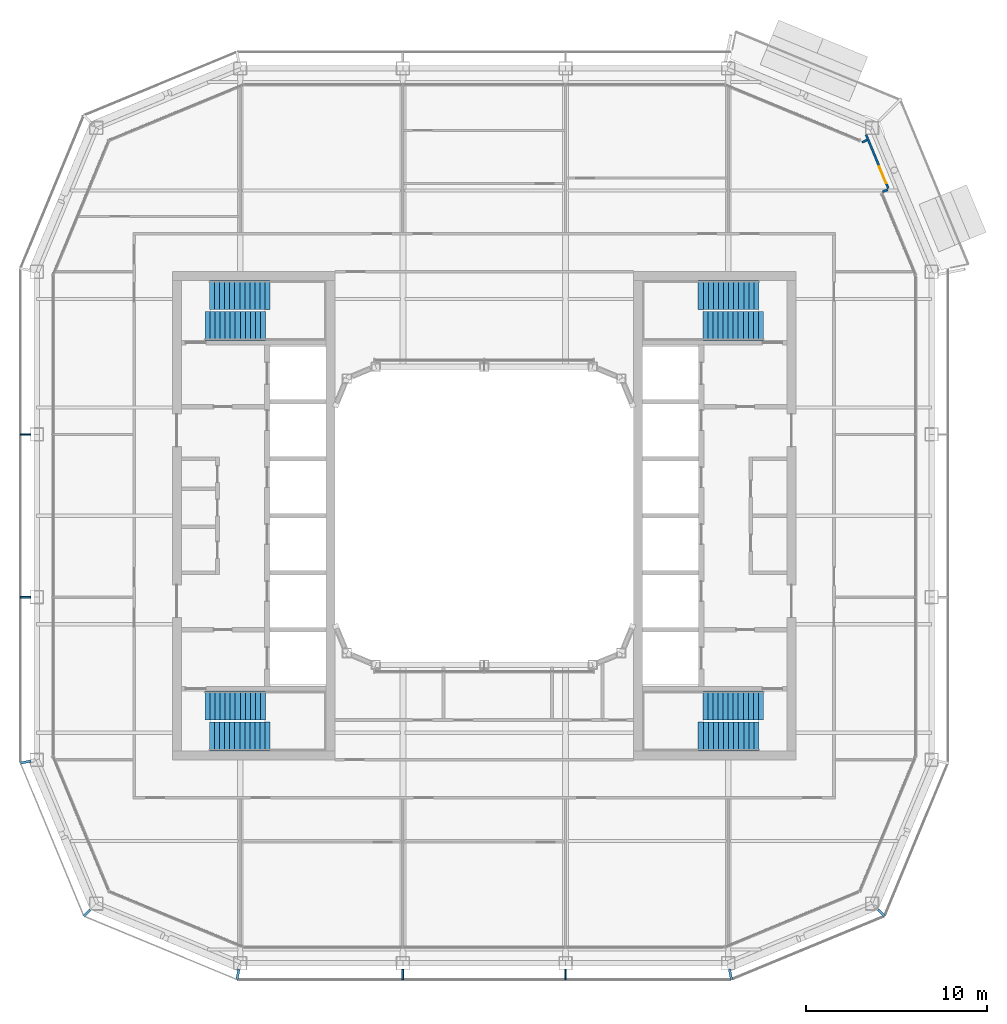
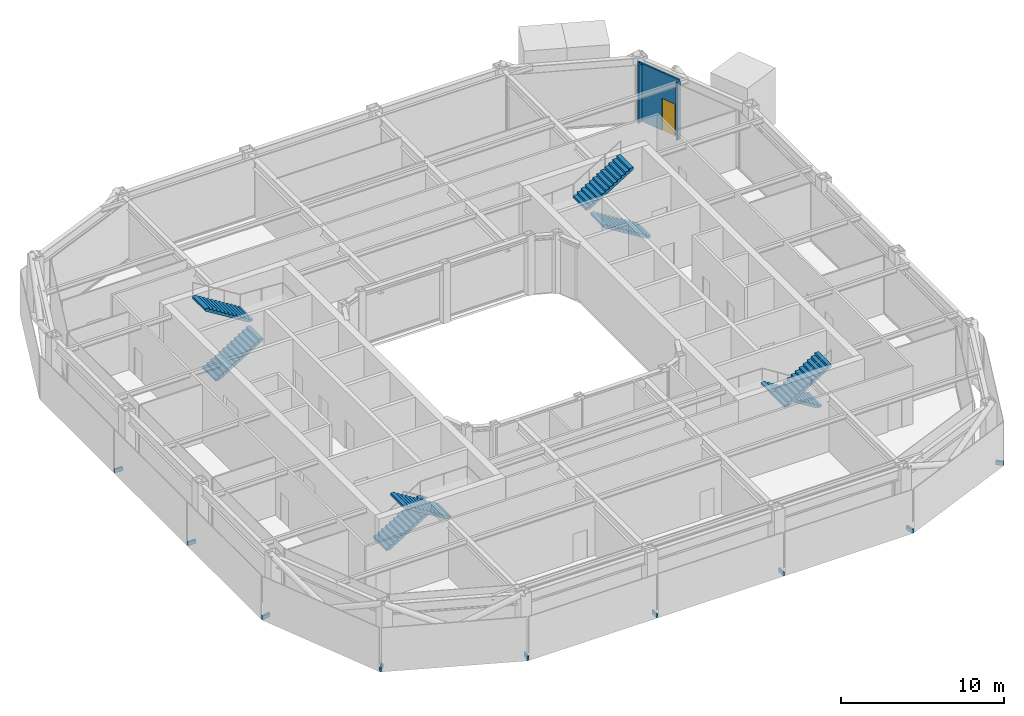
# One storey, part 13 of 20: 9 discrete accessories, 8 stair flights, 3 walls, 1 door, 1 opening, 4 elements without a shape of their own.
"""IFC4 building model written with IfcOpenShell, lengths in metres."""

import ifcopenshell
import ifcopenshell.guid

model = None  # the IFC model being written
_history = None  # IfcOwnerHistory: only IFC2X3 demands one
_inside = {}  # id of a spatial element -> (the spatial element, [elements in it])
_under = {}  # id of a project, library or spatial element -> (it, [spatial elements below it])
_declared = {}  # id of a project -> (the project, [libraries it declares])
_typed = {}  # id of a type object -> (the type object, [elements of that type])
_made_of = {}  # id of a material, layer set ... -> (it, [elements and type objects made of it])


def new_model(schema):
    """Start an empty IFC model of exactly this schema.

    Asked for "IFC4X3", IfcOpenShell would pick the latest addendum, in which some entities
    have other attributes; the version numbers below select the first issue.
    IFC2X3 requires an IfcOwnerHistory on every rooted entity: one is made here for all.
    """
    global model, _history
    if schema == "IFC4X3":
        model = ifcopenshell.file(schema_version=(4, 3, 0, 0))
    else:
        model = ifcopenshell.file(schema=schema)
    _inside.clear()
    _under.clear()
    _declared.clear()
    _typed.clear()
    _made_of.clear()
    _history = None
    if model.schema == "IFC2X3":
        org = make("IfcOrganization", Name="unknown")
        user = make(
            "IfcPersonAndOrganization",
            ThePerson=make("IfcPerson", FamilyName="unknown"),
            TheOrganization=org,
        )
        app = make(
            "IfcApplication",
            ApplicationDeveloper=org,
            Version="unknown",
            ApplicationFullName="unknown",
            ApplicationIdentifier="unknown",
        )
        _history = make(
            "IfcOwnerHistory",
            OwningUser=user,
            OwningApplication=app,
            ChangeAction="ADDED",
            CreationDate=0,
        )
    return model


def make(cls, **values):
    """One entity of the class cls with the attributes given. An attribute that is None is left unset."""
    return model.create_entity(
        cls, **{name: value for name, value in values.items() if value is not None}
    )


def rooted(cls, **values):
    """An entity with a GlobalId (a new one), such as an element, a storey or a relation."""
    return make(cls, GlobalId=ifcopenshell.guid.new(), OwnerHistory=_history, **values)


def si_unit(unit_type, name, prefix=None):
    """IfcSIUnit, for example si_unit("LENGTHUNIT", "METRE", prefix="MILLI")."""
    return make("IfcSIUnit", UnitType=unit_type, Prefix=prefix, Name=name)


def assignment(units):
    """IfcUnitAssignment: the units of a project."""
    return None if units is None else make("IfcUnitAssignment", Units=units)


def point(xyz):
    """IfcCartesianPoint."""
    return None if xyz is None else make("IfcCartesianPoint", Coordinates=xyz)


def direction(xyz):
    """IfcDirection."""
    return None if xyz is None else make("IfcDirection", DirectionRatios=xyz)


def frame(location, z_axis=None, x_axis=None):
    """IfcAxis2Placement3D, a coordinate frame: its origin and axes. An axis left out is left unset."""
    return make(
        "IfcAxis2Placement3D",
        Location=point(location),
        Axis=direction(z_axis),
        RefDirection=direction(x_axis),
    )


def frame_2d(location, x_axis=None):
    """IfcAxis2Placement2D, a coordinate frame in the plane: its origin and x axis."""
    return make(
        "IfcAxis2Placement2D", Location=point(location), RefDirection=direction(x_axis)
    )


def origin():
    """The frame at (0, 0, 0) with its axes left unset."""
    return frame((0.0, 0.0, 0.0))


def origin_2d():
    """The frame at (0, 0) in the plane with its x axis left unset."""
    return frame_2d((0.0, 0.0))


def place(relative_to, where):
    """IfcLocalPlacement: puts the frame where relative to a parent placement (None: the world)."""
    return make(
        "IfcLocalPlacement", PlacementRelTo=relative_to, RelativePlacement=where
    )


def context(
    kind, dimensions, precision=None, world=None, true_north=None, identifier=None
):
    """IfcGeometricRepresentationContext, for example the 3D "Model" context."""
    return make(
        "IfcGeometricRepresentationContext",
        ContextIdentifier=identifier,
        ContextType=kind,
        CoordinateSpaceDimension=dimensions,
        Precision=precision,
        WorldCoordinateSystem=world,
        TrueNorth=true_north,
    )


def subcontext(parent, identifier, kind, view, scale=None):
    """IfcGeometricRepresentationSubContext, for example "Body" below "Model"."""
    return make(
        "IfcGeometricRepresentationSubContext",
        ContextIdentifier=identifier,
        ContextType=kind,
        ParentContext=parent,
        TargetScale=scale,
        TargetView=view,
    )


def project(units=None, contexts=None):
    """IfcProject with its units and contexts."""
    return rooted(
        "IfcProject",
        Name="project",
        RepresentationContexts=contexts,
        UnitsInContext=assignment(units),
    )


def spatial(cls, under=None, at=None, **own):
    """A site, building, storey or space (cls), placed at a placement, below another one or the project."""
    s = rooted(cls, ObjectPlacement=at, **own)
    if under is not None:
        _under.setdefault(under.id(), (under, []))[1].append(s)
    return s


def polyline(points):
    """IfcPolyline through the points."""
    return make("IfcPolyline", Points=[point(p) for p in points])


def profile(cls, at=None, kind="AREA", **sizes):
    """A parametric profile (cls). Its sizes go by their IFC names, for example OverallWidth=200.0."""
    return make(cls, ProfileType=kind, Position=at, **sizes)


def rectangle(**sizes):
    """IfcRectangleProfileDef."""
    return profile("IfcRectangleProfileDef", **sizes)


def outline(outer, holes=None, kind="AREA"):
    """IfcArbitraryClosedProfileDef: a profile drawn as a closed curve; with holes, ...WithVoids."""
    if holes is None:
        return make("IfcArbitraryClosedProfileDef", ProfileType=kind, OuterCurve=outer)
    return make(
        "IfcArbitraryProfileDefWithVoids",
        ProfileType=kind,
        OuterCurve=outer,
        InnerCurves=holes,
    )


def extrude(swept, where, along, depth):
    """IfcExtrudedAreaSolid: the profile swept, set in the frame where, extruded along a direction by depth."""
    return make(
        "IfcExtrudedAreaSolid",
        SweptArea=swept,
        Position=where,
        ExtrudedDirection=direction(along),
        Depth=depth,
    )


def shape(context_of_items, identifier, shape_type, items):
    """IfcShapeRepresentation: the items that make up one representation, for example the "Body"."""
    return make(
        "IfcShapeRepresentation",
        ContextOfItems=context_of_items,
        RepresentationIdentifier=identifier,
        RepresentationType=shape_type,
        Items=items,
    )


def material(Name=None, Category=None):
    """IfcMaterial."""
    return make("IfcMaterial", Name=Name, Category=Category)


def layer(
    of_material, thickness, ventilated=None, Name=None, Category=None, Priority=None
):
    """IfcMaterialLayer: one layer of a wall or slab, of a material (None: an air gap)."""
    return make(
        "IfcMaterialLayer",
        Material=of_material,
        LayerThickness=thickness,
        IsVentilated=ventilated,
        Name=Name,
        Category=Category,
        Priority=Priority,
    )


def layer_set(layers, Name=None):
    """IfcMaterialLayerSet."""
    return make("IfcMaterialLayerSet", MaterialLayers=layers, LayerSetName=Name)


def made_of(thing, what):
    """Note that an element or type object is made of a material, layer set ...; save() writes the relation."""
    if what is not None:
        _made_of.setdefault(what.id(), (what, []))[1].append(thing)
    return thing


def type_object(cls, material=None, **own):
    """A type object (cls), such as IfcWallType, which elements share."""
    return made_of(rooted(cls, **own), material)


def element(
    cls,
    number,
    at=None,
    inside=None,
    cuts=None,
    type_object=None,
    material=None,
    context=None,
    identifier="Body",
    shape_type=None,
    held_by="IfcProductDefinitionShape",
    body=None,
    shapes=None,
    **own,
):
    """One element of the class cls, such as IfcWall. Its Tag is "e" and its number.

    at: its placement. inside: the storey or other place that contains it. cuts: it is an
    opening in that element (IfcRelVoidsElement). A single representation is given by context,
    identifier, shape_type and body (its items); several are given by shapes. held_by: the class
    of the entity that holds the representations. save() writes the other relations.
    """
    e = rooted(cls, Tag="e%d" % number, ObjectPlacement=at, **own)
    if body is not None:
        shapes = [shape(context, identifier, shape_type, body)]
    if shapes is not None:
        e.Representation = make(held_by, Representations=shapes)
    if inside is not None:
        _inside.setdefault(inside.id(), (inside, []))[1].append(e)
    if cuts is not None:
        rooted(
            "IfcRelVoidsElement", RelatingBuildingElement=cuts, RelatedOpeningElement=e
        )
    if type_object is not None:
        _typed.setdefault(type_object.id(), (type_object, []))[1].append(e)
    return made_of(e, material)


def fill(opening, filler):
    """IfcRelFillsElement: the door or window that sits in an opening."""
    return rooted(
        "IfcRelFillsElement",
        RelatingOpeningElement=opening,
        RelatedBuildingElement=filler,
    )


def aggregate(whole, parts):
    """IfcRelAggregates: a whole, such as a stair, and the parts it consists of."""
    return rooted("IfcRelAggregates", RelatingObject=whole, RelatedObjects=parts)


def save(model, path):
    """Write the relations noted so far, then the file.

    IfcRelAggregates (storeys below a building ...), IfcRelContainedInSpatialStructure (elements
    in a storey), IfcRelDefinesByType, IfcRelAssociatesMaterial and IfcRelDeclares: one each for
    every whole, place, type object, material and project.
    """
    for whole, parts in _under.values():
        aggregate(whole, parts)
    for where, things in _inside.values():
        rooted(
            "IfcRelContainedInSpatialStructure",
            RelatedElements=things,
            RelatingStructure=where,
        )
    for kind, things in _typed.values():
        rooted("IfcRelDefinesByType", RelatedObjects=things, RelatingType=kind)
    for what, things in _made_of.values():
        rooted("IfcRelAssociatesMaterial", RelatedObjects=things, RelatingMaterial=what)
    for by, libraries in _declared.values():
        rooted("IfcRelDeclares", RelatingContext=by, RelatedDefinitions=libraries)
    model.write(path)


model = new_model("IFC4")

# Units and contexts
model_context = context("Model", 3, precision=1e-05, world=origin(), true_north=direction((0.0, 1.0)))
body_context = subcontext(model_context, "Body", "Model", "MODEL_VIEW")
ifc_project = project(units=[si_unit("LENGTHUNIT", "METRE"), si_unit("AREAUNIT", "SQUARE_METRE"), si_unit("VOLUMEUNIT", "CUBIC_METRE"), si_unit("PLANEANGLEUNIT", "RADIAN"), si_unit("MASSUNIT", "GRAM", prefix="KILO")], contexts=[model_context])

# Site, building, storey
site_placement = place(None, origin())
site = spatial("IfcSite", under=ifc_project, at=site_placement, CompositionType="ELEMENT")
building_placement = place(site_placement, origin())
building = spatial("IfcBuilding", under=site, at=building_placement, Name="Siwar Civic Tower", CompositionType="ELEMENT")
storey_placement = place(building_placement, frame((0.0, 0.0, 307.699951171875)))
storey = spatial("IfcBuildingStorey", under=building, at=storey_placement, Name="L66", CompositionType="ELEMENT", Elevation=307.699951171875)

# Walls
ifc_material_1 = material(Name="Aluminium clad insulated panel", Category="aluminium")
ifc_layer = layer(ifc_material_1, 0.1201171875)
ifc_layer_set = layer_set([ifc_layer], Name="Aluminium clad insulated panel")
wall_type = type_object("IfcWallType", Name="ENV-WALL-BAL", PredefinedType="STANDARD", material=ifc_layer_set)
wall_1_placement = place(storey_placement, frame((22.03271484375, 17.91748046875, 0.0), z_axis=(0.0, 0.0, 1.0), x_axis=(0.923844027884, 0.382769136873, 0.0)))
element("IfcWall", 1, at=wall_1_placement, inside=storey, type_object=wall_type, Name="Balcony door wall return NE1", PredefinedType="STANDARD", context=body_context, shape_type="SweptSolid", body=[
    extrude(rectangle(XDim=0.31005859375, YDim=0.1201171875, at=frame_2d((0.155029296875, 0.0))), origin(), (0.0, 0.0, 1.0), 4.35009765625),
])
wall_2_placement = place(storey_placement, frame((20.896484375, 20.66015625, 0.0), z_axis=(0.0, 0.0, 1.0), x_axis=(0.923959293734, 0.382490814953, 0.0)))
element("IfcWall", 2, at=wall_2_placement, inside=storey, type_object=wall_type, Name="Balcony door wall return NE1", PredefinedType="STANDARD", context=body_context, shape_type="SweptSolid", body=[
    extrude(rectangle(XDim=0.310302734375, YDim=0.1201171875, at=frame_2d((0.1552734375, 0.0))), origin(), (0.0, 0.0, 1.0), 4.35009765625),
])

# Wall, opening, door
wall_3_placement = place(storey_placement, frame((22.3515625, 18.114501953125, 0.0), z_axis=(0.0, 0.0, 1.0), x_axis=(-0.382680969843, 0.923880552517, 0.0)))
wall_3 = element("IfcWall", 3, at=wall_3_placement, inside=storey, type_object=wall_type, Name="Balcony door wall NE1", PredefinedType="STANDARD", context=body_context, shape_type="SweptSolid", body=[
    extrude(rectangle(XDim=3.209716796875, YDim=0.1201171875, at=frame_2d((1.60498046875, 0.0))), origin(), (0.0, 0.0, 1.0), 4.35009765625),
])
opening_placement = place(wall_3_placement, frame((0.300048828125, 0.0, 0.0)))
opening = element("IfcOpeningElement", 4, at=opening_placement, cuts=wall_3, Name="Opening D-BAL", PredefinedType="OPENING", context=body_context, shape_type="SweptSolid", body=[
    extrude(rectangle(XDim=1.0, YDim=2.39990234375, at=frame_2d((0.5, 1.199951171875))), frame((0.0, 0.070068359375, 0.0), z_axis=(0.0, -1.0, 0.0), x_axis=(1.0, 0.0, 0.0)), (0.0, 0.0, 1.0), 0.14013671875),
])
ifc_material_2 = material(Name="Aluminium and glass", Category="aluminium")
door_type = type_object("IfcDoorType", Name="ENV-DOOR-BAL", OperationType="SINGLE_SWING_LEFT", PredefinedType="DOOR", material=ifc_material_2)
door_placement = place(opening_placement, origin())
door = element("IfcDoor", 5, at=door_placement, inside=storey, type_object=door_type, Name="Balcony door NE", OperationType="SINGLE_SWING_LEFT", OverallHeight=2.39990234375, OverallWidth=1.0, PredefinedType="DOOR", context=body_context, shape_type="SweptSolid", body=[
    extrude(rectangle(XDim=1.0, YDim=2.39990234375, at=frame_2d((0.5, 1.199951171875))), frame((0.0, 0.02490234375, 0.0), z_axis=(0.0, -1.0, 0.0), x_axis=(1.0, 0.0, 0.0)), (0.0, 0.0, 1.0), 0.050048828125),
])
fill(opening, door)

# Stair, stair flights
ifc_material_3 = material(Name="Concrete C40/50", Category="concrete")
stair_type = type_object("IfcStairType", Name="CORE-STAIR", PredefinedType="TWO_STRAIGHT_RUN_STAIR", material=ifc_material_3)
stair_1_placement = place(storey_placement, origin())
stair_1 = element("IfcStair", 6, at=stair_1_placement, inside=storey, type_object=stair_type, Name="Exit stair ST1", PredefinedType="TWO_STRAIGHT_RUN_STAIR")
ifc_material_4 = material(Name="Concrete C40/50", Category="concrete")
stair_flight_type = type_object("IfcStairFlightType", Name="CORE-STAIR-FLIGHT", PredefinedType="STRAIGHT", material=ifc_material_4)
stair_flight_1_placement = place(storey_placement, frame((-15.449951171875, 10.5, 0.0), z_axis=(0.0, 0.0, 1.0), x_axis=(1.0, 0.0, 0.0)))
stair_flight_1 = element("IfcStairFlight", 7, at=stair_flight_1_placement, type_object=stair_flight_type, Name="ST1 flight 1", NumberOfRisers=13, NumberOfTreads=12, PredefinedType="STRAIGHT", RiserHeight=0.173076923, TreadLength=0.28, context=body_context, shape_type="SweptSolid", body=[
    extrude(outline(polyline([(0.0, 0.0), (0.0, 0.173095703125), (0.280029296875, 0.173095703125), (0.280029296875, 0.34619140625), (0.56005859375, 0.34619140625), (0.56005859375, 0.519287109375), (0.840087890625, 0.519287109375), (0.840087890625, 0.6923828125), (1.1201171875, 0.6923828125), (1.1201171875, 0.865478515625), (1.39990234375, 0.865478515625), (1.39990234375, 1.03857421875), (1.679931640625, 1.03857421875), (1.679931640625, 1.21142578125), (1.9599609375, 1.21142578125), (1.9599609375, 1.384521484375), (2.239990234375, 1.384521484375), (2.239990234375, 1.5576171875), (2.52001953125, 1.5576171875), (2.52001953125, 1.730712890625), (2.800048828125, 1.730712890625), (2.800048828125, 1.90380859375), (3.080078125, 1.90380859375), (3.080078125, 2.076904296875), (3.360107421875, 2.076904296875), (3.360107421875, 2.25), (3.360107421875, 1.900634765625), (0.28515625, 0.0), (0.0, 0.0)])), frame((0.0, 0.800048828125, 0.0), z_axis=(0.0, -1.0, 0.0), x_axis=(1.0, 0.0, 0.0)), (0.0, 0.0, 1.0), 1.60009765625),
])
stair_flight_2_placement = place(storey_placement, frame((-11.840087890625, 12.199951171875, 2.25), z_axis=(0.0, 0.0, 1.0), x_axis=(-1.0, 0.0, 0.0)))
stair_flight_2 = element("IfcStairFlight", 8, at=stair_flight_2_placement, type_object=stair_flight_type, Name="ST1 flight 2", NumberOfRisers=13, NumberOfTreads=12, PredefinedType="STRAIGHT", RiserHeight=0.173076923, TreadLength=0.28, context=body_context, shape_type="SweptSolid", body=[
    extrude(outline(polyline([(0.0, 0.0), (0.0, 0.173095703125), (0.280029296875, 0.173095703125), (0.280029296875, 0.34619140625), (0.56005859375, 0.34619140625), (0.56005859375, 0.519287109375), (0.840087890625, 0.519287109375), (0.840087890625, 0.6923828125), (1.1201171875, 0.6923828125), (1.1201171875, 0.865478515625), (1.39990234375, 0.865478515625), (1.39990234375, 1.03857421875), (1.679931640625, 1.03857421875), (1.679931640625, 1.21142578125), (1.9599609375, 1.21142578125), (1.9599609375, 1.384521484375), (2.239990234375, 1.384521484375), (2.239990234375, 1.5576171875), (2.52001953125, 1.5576171875), (2.52001953125, 1.730712890625), (2.800048828125, 1.730712890625), (2.800048828125, 1.90380859375), (3.080078125, 1.90380859375), (3.080078125, 2.076904296875), (3.360107421875, 2.076904296875), (3.360107421875, 2.25), (3.360107421875, 1.900634765625), (0.28515625, 0.0), (0.0, 0.0)])), frame((0.0, 0.800048828125, 0.0), z_axis=(0.0, -1.0, 0.0), x_axis=(1.0, 0.0, 0.0)), (0.0, 0.0, 1.0), 1.60009765625),
])
aggregate(stair_1, [stair_flight_1, stair_flight_2])

stair_2_placement = place(storey_placement, origin())
stair_2 = element("IfcStair", 9, at=stair_2_placement, inside=storey, type_object=stair_type, Name="Exit stair ST2", PredefinedType="TWO_STRAIGHT_RUN_STAIR")
stair_flight_3_placement = place(storey_placement, frame((-15.449951171875, -10.5, 0.0), z_axis=(0.0, 0.0, 1.0), x_axis=(1.0, 0.0, 0.0)))
stair_flight_3 = element("IfcStairFlight", 10, at=stair_flight_3_placement, type_object=stair_flight_type, Name="ST2 flight 1", NumberOfRisers=13, NumberOfTreads=12, PredefinedType="STRAIGHT", RiserHeight=0.173076923, TreadLength=0.28, context=body_context, shape_type="SweptSolid", body=[
    extrude(outline(polyline([(0.0, 0.0), (0.0, 0.173095703125), (0.280029296875, 0.173095703125), (0.280029296875, 0.34619140625), (0.56005859375, 0.34619140625), (0.56005859375, 0.519287109375), (0.840087890625, 0.519287109375), (0.840087890625, 0.6923828125), (1.1201171875, 0.6923828125), (1.1201171875, 0.865478515625), (1.39990234375, 0.865478515625), (1.39990234375, 1.03857421875), (1.679931640625, 1.03857421875), (1.679931640625, 1.21142578125), (1.9599609375, 1.21142578125), (1.9599609375, 1.384521484375), (2.239990234375, 1.384521484375), (2.239990234375, 1.5576171875), (2.52001953125, 1.5576171875), (2.52001953125, 1.730712890625), (2.800048828125, 1.730712890625), (2.800048828125, 1.90380859375), (3.080078125, 1.90380859375), (3.080078125, 2.076904296875), (3.360107421875, 2.076904296875), (3.360107421875, 2.25), (3.360107421875, 1.900634765625), (0.28515625, 0.0), (0.0, 0.0)])), frame((0.0, 0.800048828125, 0.0), z_axis=(0.0, -1.0, 0.0), x_axis=(1.0, 0.0, 0.0)), (0.0, 0.0, 1.0), 1.60009765625),
])
stair_flight_4_placement = place(storey_placement, frame((-11.840087890625, -12.199951171875, 2.25), z_axis=(0.0, 0.0, 1.0), x_axis=(-1.0, 0.0, 0.0)))
stair_flight_4 = element("IfcStairFlight", 11, at=stair_flight_4_placement, type_object=stair_flight_type, Name="ST2 flight 2", NumberOfRisers=13, NumberOfTreads=12, PredefinedType="STRAIGHT", RiserHeight=0.173076923, TreadLength=0.28, context=body_context, shape_type="SweptSolid", body=[
    extrude(outline(polyline([(0.0, 0.0), (0.0, 0.173095703125), (0.280029296875, 0.173095703125), (0.280029296875, 0.34619140625), (0.56005859375, 0.34619140625), (0.56005859375, 0.519287109375), (0.840087890625, 0.519287109375), (0.840087890625, 0.6923828125), (1.1201171875, 0.6923828125), (1.1201171875, 0.865478515625), (1.39990234375, 0.865478515625), (1.39990234375, 1.03857421875), (1.679931640625, 1.03857421875), (1.679931640625, 1.21142578125), (1.9599609375, 1.21142578125), (1.9599609375, 1.384521484375), (2.239990234375, 1.384521484375), (2.239990234375, 1.5576171875), (2.52001953125, 1.5576171875), (2.52001953125, 1.730712890625), (2.800048828125, 1.730712890625), (2.800048828125, 1.90380859375), (3.080078125, 1.90380859375), (3.080078125, 2.076904296875), (3.360107421875, 2.076904296875), (3.360107421875, 2.25), (3.360107421875, 1.900634765625), (0.28515625, 0.0), (0.0, 0.0)])), frame((0.0, 0.800048828125, 0.0), z_axis=(0.0, -1.0, 0.0), x_axis=(1.0, 0.0, 0.0)), (0.0, 0.0, 1.0), 1.60009765625),
])
aggregate(stair_2, [stair_flight_3, stair_flight_4])

stair_3_placement = place(storey_placement, origin())
stair_3 = element("IfcStair", 12, at=stair_3_placement, inside=storey, type_object=stair_type, Name="Exit stair ST3", PredefinedType="TWO_STRAIGHT_RUN_STAIR")
stair_flight_5_placement = place(storey_placement, frame((15.449951171875, 10.5, 0.0), z_axis=(0.0, 0.0, 1.0), x_axis=(-1.0, 0.0, 0.0)))
stair_flight_5 = element("IfcStairFlight", 13, at=stair_flight_5_placement, type_object=stair_flight_type, Name="ST3 flight 1", NumberOfRisers=13, NumberOfTreads=12, PredefinedType="STRAIGHT", RiserHeight=0.173076923, TreadLength=0.28, context=body_context, shape_type="SweptSolid", body=[
    extrude(outline(polyline([(0.0, 0.0), (0.0, 0.173095703125), (0.280029296875, 0.173095703125), (0.280029296875, 0.34619140625), (0.56005859375, 0.34619140625), (0.56005859375, 0.519287109375), (0.840087890625, 0.519287109375), (0.840087890625, 0.6923828125), (1.1201171875, 0.6923828125), (1.1201171875, 0.865478515625), (1.39990234375, 0.865478515625), (1.39990234375, 1.03857421875), (1.679931640625, 1.03857421875), (1.679931640625, 1.21142578125), (1.9599609375, 1.21142578125), (1.9599609375, 1.384521484375), (2.239990234375, 1.384521484375), (2.239990234375, 1.5576171875), (2.52001953125, 1.5576171875), (2.52001953125, 1.730712890625), (2.800048828125, 1.730712890625), (2.800048828125, 1.90380859375), (3.080078125, 1.90380859375), (3.080078125, 2.076904296875), (3.360107421875, 2.076904296875), (3.360107421875, 2.25), (3.360107421875, 1.900634765625), (0.28515625, 0.0), (0.0, 0.0)])), frame((0.0, 0.800048828125, 0.0), z_axis=(0.0, -1.0, 0.0), x_axis=(1.0, 0.0, 0.0)), (0.0, 0.0, 1.0), 1.60009765625),
])
stair_flight_6_placement = place(storey_placement, frame((11.840087890625, 12.199951171875, 2.25), z_axis=(0.0, 0.0, 1.0), x_axis=(1.0, 0.0, 0.0)))
stair_flight_6 = element("IfcStairFlight", 14, at=stair_flight_6_placement, type_object=stair_flight_type, Name="ST3 flight 2", NumberOfRisers=13, NumberOfTreads=12, PredefinedType="STRAIGHT", RiserHeight=0.173076923, TreadLength=0.28, context=body_context, shape_type="SweptSolid", body=[
    extrude(outline(polyline([(0.0, 0.0), (0.0, 0.173095703125), (0.280029296875, 0.173095703125), (0.280029296875, 0.34619140625), (0.56005859375, 0.34619140625), (0.56005859375, 0.519287109375), (0.840087890625, 0.519287109375), (0.840087890625, 0.6923828125), (1.1201171875, 0.6923828125), (1.1201171875, 0.865478515625), (1.39990234375, 0.865478515625), (1.39990234375, 1.03857421875), (1.679931640625, 1.03857421875), (1.679931640625, 1.21142578125), (1.9599609375, 1.21142578125), (1.9599609375, 1.384521484375), (2.239990234375, 1.384521484375), (2.239990234375, 1.5576171875), (2.52001953125, 1.5576171875), (2.52001953125, 1.730712890625), (2.800048828125, 1.730712890625), (2.800048828125, 1.90380859375), (3.080078125, 1.90380859375), (3.080078125, 2.076904296875), (3.360107421875, 2.076904296875), (3.360107421875, 2.25), (3.360107421875, 1.900634765625), (0.28515625, 0.0), (0.0, 0.0)])), frame((0.0, 0.800048828125, 0.0), z_axis=(0.0, -1.0, 0.0), x_axis=(1.0, 0.0, 0.0)), (0.0, 0.0, 1.0), 1.60009765625),
])
aggregate(stair_3, [stair_flight_5, stair_flight_6])

stair_4_placement = place(storey_placement, origin())
stair_4 = element("IfcStair", 15, at=stair_4_placement, inside=storey, type_object=stair_type, Name="Exit stair ST4", PredefinedType="TWO_STRAIGHT_RUN_STAIR")
stair_flight_7_placement = place(storey_placement, frame((15.449951171875, -10.5, 0.0), z_axis=(0.0, 0.0, 1.0), x_axis=(-1.0, 0.0, 0.0)))
stair_flight_7 = element("IfcStairFlight", 16, at=stair_flight_7_placement, type_object=stair_flight_type, Name="ST4 flight 1", NumberOfRisers=13, NumberOfTreads=12, PredefinedType="STRAIGHT", RiserHeight=0.173076923, TreadLength=0.28, context=body_context, shape_type="SweptSolid", body=[
    extrude(outline(polyline([(0.0, 0.0), (0.0, 0.173095703125), (0.280029296875, 0.173095703125), (0.280029296875, 0.34619140625), (0.56005859375, 0.34619140625), (0.56005859375, 0.519287109375), (0.840087890625, 0.519287109375), (0.840087890625, 0.6923828125), (1.1201171875, 0.6923828125), (1.1201171875, 0.865478515625), (1.39990234375, 0.865478515625), (1.39990234375, 1.03857421875), (1.679931640625, 1.03857421875), (1.679931640625, 1.21142578125), (1.9599609375, 1.21142578125), (1.9599609375, 1.384521484375), (2.239990234375, 1.384521484375), (2.239990234375, 1.5576171875), (2.52001953125, 1.5576171875), (2.52001953125, 1.730712890625), (2.800048828125, 1.730712890625), (2.800048828125, 1.90380859375), (3.080078125, 1.90380859375), (3.080078125, 2.076904296875), (3.360107421875, 2.076904296875), (3.360107421875, 2.25), (3.360107421875, 1.900634765625), (0.28515625, 0.0), (0.0, 0.0)])), frame((0.0, 0.800048828125, 0.0), z_axis=(0.0, -1.0, 0.0), x_axis=(1.0, 0.0, 0.0)), (0.0, 0.0, 1.0), 1.60009765625),
])
stair_flight_8_placement = place(storey_placement, frame((11.840087890625, -12.199951171875, 2.25), z_axis=(0.0, 0.0, 1.0), x_axis=(1.0, 0.0, 0.0)))
stair_flight_8 = element("IfcStairFlight", 17, at=stair_flight_8_placement, type_object=stair_flight_type, Name="ST4 flight 2", NumberOfRisers=13, NumberOfTreads=12, PredefinedType="STRAIGHT", RiserHeight=0.173076923, TreadLength=0.28, context=body_context, shape_type="SweptSolid", body=[
    extrude(outline(polyline([(0.0, 0.0), (0.0, 0.173095703125), (0.280029296875, 0.173095703125), (0.280029296875, 0.34619140625), (0.56005859375, 0.34619140625), (0.56005859375, 0.519287109375), (0.840087890625, 0.519287109375), (0.840087890625, 0.6923828125), (1.1201171875, 0.6923828125), (1.1201171875, 0.865478515625), (1.39990234375, 0.865478515625), (1.39990234375, 1.03857421875), (1.679931640625, 1.03857421875), (1.679931640625, 1.21142578125), (1.9599609375, 1.21142578125), (1.9599609375, 1.384521484375), (2.239990234375, 1.384521484375), (2.239990234375, 1.5576171875), (2.52001953125, 1.5576171875), (2.52001953125, 1.730712890625), (2.800048828125, 1.730712890625), (2.800048828125, 1.90380859375), (3.080078125, 1.90380859375), (3.080078125, 2.076904296875), (3.360107421875, 2.076904296875), (3.360107421875, 2.25), (3.360107421875, 1.900634765625), (0.28515625, 0.0), (0.0, 0.0)])), frame((0.0, 0.800048828125, 0.0), z_axis=(0.0, -1.0, 0.0), x_axis=(1.0, 0.0, 0.0)), (0.0, 0.0, 1.0), 1.60009765625),
])
aggregate(stair_4, [stair_flight_7, stair_flight_8])

# Discrete accessories
ifc_material_5 = material(Name="Stainless steel 316", Category="steel")
discrete_accessory_type = type_object("IfcDiscreteAccessoryType", Name="ENV-BRACKET", PredefinedType="BRACKET", material=ifc_material_5)
for number, where, z_axis, x_axis, name in (
    (18, (-4.5, -25.364990234375, -0.14990234375), (0.0, 0.0, 1.0), (0.0, -1.0, 0.0), "Bracket outer skin joint S-01"),
    (19, (4.5, -25.364990234375, -0.14990234375), (0.0, 0.0, 1.0), (0.0, -1.0, 0.0), "Bracket outer skin joint S-02"),
):
    element("IfcDiscreteAccessory", number, at=place(storey_placement, frame(where, z_axis=z_axis, x_axis=x_axis)), inside=storey, type_object=discrete_accessory_type, Name=name, PredefinedType="BRACKET", context=body_context, shape_type="SweptSolid", body=[
        extrude(rectangle(XDim=0.570068359375, YDim=0.10009765625, at=origin_2d()), origin(), (0.0, 0.0, 1.0), 0.300048828125),
    ])
for number, where, z_axis, x_axis, name in (
    (20, (-13.622314453125, -25.365234375, -0.14990234375), (0.0, 0.0, 1.0), (-0.195090322016, -0.980785280403, 0.0), "Bracket outer skin joint V00"),
    (21, (13.622314453125, -25.365234375, -0.14990234375), (0.0, 0.0, 1.0), (0.195090322016, -0.980785280403, 0.0), "Bracket outer skin joint V01"),
):
    element("IfcDiscreteAccessory", number, at=place(storey_placement, frame(where, z_axis=z_axis, x_axis=x_axis)), inside=storey, type_object=discrete_accessory_type, Name=name, PredefinedType="BRACKET", context=body_context, shape_type="SweptSolid", body=[
        extrude(rectangle(XDim=0.580810546875, YDim=0.13720703125, at=origin_2d()), origin(), (0.0, 0.0, 1.0), 0.300048828125),
    ])
discrete_accessory_1_placement = place(storey_placement, frame((21.96728515625, -21.96728515625, -0.14990234375), z_axis=(0.0, 0.0, 1.0), x_axis=(0.707106781187, -0.707106781187, 0.0)))
element("IfcDiscreteAccessory", 22, at=discrete_accessory_1_placement, inside=storey, type_object=discrete_accessory_type, Name="Bracket outer skin joint V02", PredefinedType="BRACKET", context=body_context, shape_type="SweptSolid", body=[
    extrude(rectangle(XDim=0.499267578125, YDim=0.12939453125, at=origin_2d()), origin(), (0.0, 0.0, 1.0), 0.300048828125),
])
discrete_accessory_2_placement = place(storey_placement, frame((-25.365234375, -13.622314453125, -0.14990234375), z_axis=(0.0, 0.0, 1.0), x_axis=(-0.980785280403, -0.195090322016, 0.0)))
element("IfcDiscreteAccessory", 23, at=discrete_accessory_2_placement, inside=storey, type_object=discrete_accessory_type, Name="Bracket outer skin joint V10", PredefinedType="BRACKET", context=body_context, shape_type="SweptSolid", body=[
    extrude(rectangle(XDim=0.580810546875, YDim=0.13720703125, at=origin_2d()), origin(), (0.0, 0.0, 1.0), 0.300048828125),
])
discrete_accessory_3_placement = place(storey_placement, frame((-21.96728515625, -21.96728515625, -0.14990234375), z_axis=(0.0, 0.0, 1.0), x_axis=(-0.707106781187, -0.707106781187, 0.0)))
element("IfcDiscreteAccessory", 24, at=discrete_accessory_3_placement, inside=storey, type_object=discrete_accessory_type, Name="Bracket outer skin joint V11", PredefinedType="BRACKET", context=body_context, shape_type="SweptSolid", body=[
    extrude(rectangle(XDim=0.499267578125, YDim=0.12939453125, at=origin_2d()), origin(), (0.0, 0.0, 1.0), 0.300048828125),
])
for number, where, z_axis, x_axis, name in (
    (25, (-25.364990234375, 4.5, -0.14990234375), (0.0, 0.0, 1.0), (-1.0, 0.0, 0.0), "Bracket outer skin joint W-01"),
    (26, (-25.364990234375, -4.5, -0.14990234375), (0.0, 0.0, 1.0), (-1.0, 0.0, 0.0), "Bracket outer skin joint W-02"),
):
    element("IfcDiscreteAccessory", number, at=place(storey_placement, frame(where, z_axis=z_axis, x_axis=x_axis)), inside=storey, type_object=discrete_accessory_type, Name=name, PredefinedType="BRACKET", context=body_context, shape_type="SweptSolid", body=[
        extrude(rectangle(XDim=0.570068359375, YDim=0.10009765625, at=origin_2d()), origin(), (0.0, 0.0, 1.0), 0.300048828125),
    ])

save(model, "model.ifc")
